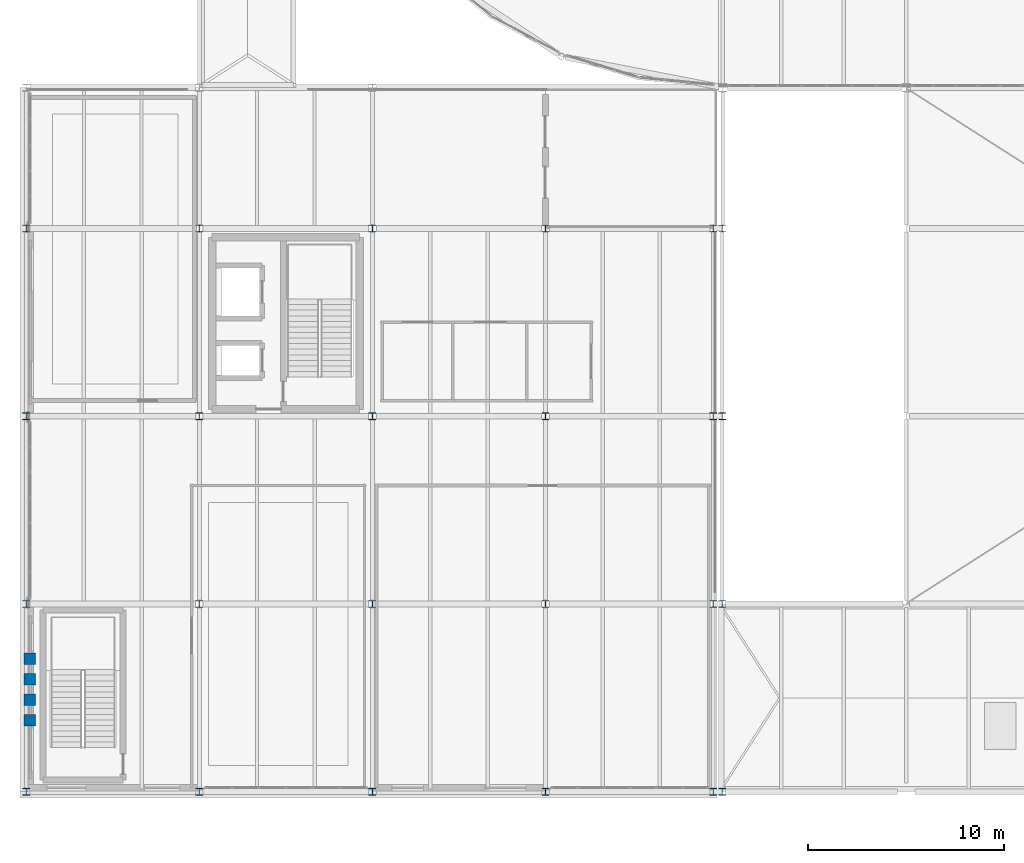
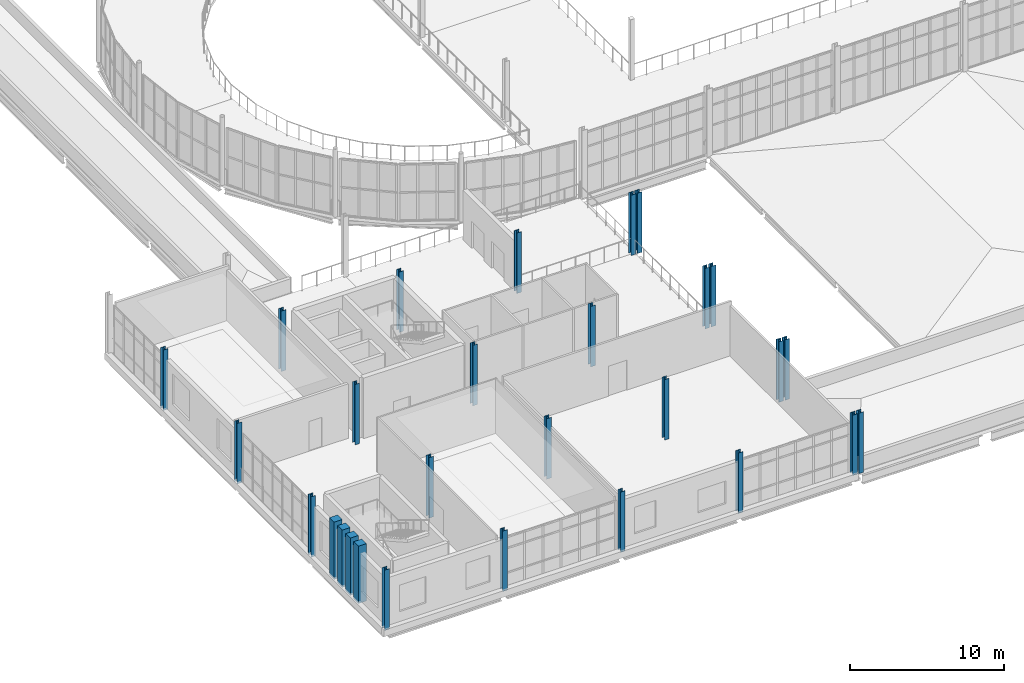
# One storey, part 1 of 112: 28 columns.
"""IFC4 building model written with IfcOpenShell, lengths in metres."""

from ifc_helpers import new_model, si_unit, direction, frame, origin, origin_2d, place, context, subcontext, project, spatial, rectangle, i_section, extrude, material, material_profile, profile_set, type_object, element, save


model = new_model("IFC4")

# Units and contexts
model_context = context("Model", 3, precision=1e-05, world=origin(), true_north=direction((0.0, 1.0)))
body_context = subcontext(model_context, "Body", "Model", "MODEL_VIEW")
ifc_project = project(units=[si_unit("LENGTHUNIT", "METRE"), si_unit("AREAUNIT", "SQUARE_METRE"), si_unit("VOLUMEUNIT", "CUBIC_METRE"), si_unit("PLANEANGLEUNIT", "RADIAN"), si_unit("MASSUNIT", "GRAM", prefix="KILO")], contexts=[model_context])

# Site, building, storey
site_placement = place(None, origin())
site = spatial("IfcSite", under=ifc_project, at=site_placement, CompositionType="ELEMENT")
building_placement = place(site_placement, origin())
building = spatial("IfcBuilding", under=site, at=building_placement, Name="Yeouljin Market Hall", CompositionType="ELEMENT")
storey_placement = place(building_placement, frame((0.0, 0.0, 6.0)))
storey = spatial("IfcBuildingStorey", under=building, at=storey_placement, Name="L01", CompositionType="ELEMENT", Elevation=6.0)

# Columns
ifc_material_1 = material(Name="Steel SM355", Category="steel")
ifc_material_profile_1 = material_profile(ifc_material_1, i_section(OverallWidth=0.35009765625, OverallDepth=0.35009765625, WebThickness=0.011962890625, FlangeThickness=0.01904296875, FilletRadius=0.02001953125, at=origin_2d()), Name="H-350x350x12x19")
ifc_profile_set_1 = profile_set([ifc_material_profile_1], Name="Steel SM355")
column_type_1 = type_object("IfcColumnType", Name="Col_H-350x350x12x19", PredefinedType="COLUMN", material=ifc_profile_set_1)
for number, where, z_axis, x_axis, name in (
    (1, (0.0, 0.0, 0.0), (0.0, 0.0, 1.0), (1.0, 0.0, 0.0), "Column G-00-00 (L01)"),
    (2, (0.0, 9.60009765625, 0.0), (0.0, 0.0, 1.0), (1.0, 0.0, 0.0), "Column G-00-01 (L01)"),
    (3, (0.0, 19.199951171875, 0.0), (0.0, 0.0, 1.0), (1.0, 0.0, 0.0), "Column G-00-02 (L01)"),
    (4, (0.0, 28.800048828125, 0.0), (0.0, 0.0, 1.0), (1.0, 0.0, 0.0), "Column G-00-03 (L01)"),
    (5, (8.85009765625, 0.0, 0.0), (0.0, 0.0, 1.0), (1.0, 0.0, 0.0), "Column G-01-00 (L01)"),
    (6, (8.85009765625, 9.60009765625, 0.0), (0.0, 0.0, 1.0), (1.0, 0.0, 0.0), "Column G-01-01 (L01)"),
    (7, (8.85009765625, 19.199951171875, 0.0), (0.0, 0.0, 1.0), (1.0, 0.0, 0.0), "Column G-01-02 (L01)"),
    (8, (8.85009765625, 28.800048828125, 0.0), (0.0, 0.0, 1.0), (1.0, 0.0, 0.0), "Column G-01-03 (L01)"),
    (9, (17.699951171875, 0.0, 0.0), (0.0, 0.0, 1.0), (1.0, 0.0, 0.0), "Column G-02-00 (L01)"),
    (10, (17.699951171875, 9.60009765625, 0.0), (0.0, 0.0, 1.0), (1.0, 0.0, 0.0), "Column G-02-01 (L01)"),
    (11, (17.699951171875, 19.199951171875, 0.0), (0.0, 0.0, 1.0), (1.0, 0.0, 0.0), "Column G-02-02 (L01)"),
    (12, (17.699951171875, 28.800048828125, 0.0), (0.0, 0.0, 1.0), (1.0, 0.0, 0.0), "Column G-02-03 (L01)"),
    (13, (26.550048828125, 0.0, 0.0), (0.0, 0.0, 1.0), (1.0, 0.0, 0.0), "Column G-03-00 (L01)"),
    (14, (26.550048828125, 9.60009765625, 0.0), (0.0, 0.0, 1.0), (1.0, 0.0, 0.0), "Column G-03-01 (L01)"),
    (15, (26.550048828125, 19.199951171875, 0.0), (0.0, 0.0, 1.0), (1.0, 0.0, 0.0), "Column G-03-02 (L01)"),
    (16, (26.550048828125, 28.800048828125, 0.0), (0.0, 0.0, 1.0), (1.0, 0.0, 0.0), "Column G-03-03 (L01)"),
    (17, (35.1298828125, 0.0, 0.0), (0.0, 0.0, 1.0), (1.0, 0.0, 0.0), "Column G-04-00 (L01)"),
    (18, (35.1298828125, 9.60009765625, 0.0), (0.0, 0.0, 1.0), (1.0, 0.0, 0.0), "Column G-04-01 (L01)"),
    (19, (35.1298828125, 19.199951171875, 0.0), (0.0, 0.0, 1.0), (1.0, 0.0, 0.0), "Column G-04-02 (L01)"),
    (20, (35.1298828125, 28.800048828125, 0.0), (0.0, 0.0, 1.0), (1.0, 0.0, 0.0), "Column G-04-03 (L01)"),
    (21, (35.590087890625, 0.0, 0.0), (0.0, 0.0, 1.0), (1.0, 0.0, 0.0), "Column G-05-00 (L01)"),
    (22, (35.590087890625, 9.60009765625, 0.0), (0.0, 0.0, 1.0), (1.0, 0.0, 0.0), "Column G-05-01 (L01)"),
    (23, (35.590087890625, 19.199951171875, 0.0), (0.0, 0.0, 1.0), (1.0, 0.0, 0.0), "Column G-05-02 (L01)"),
    (24, (35.590087890625, 28.800048828125, 0.0), (0.0, 0.0, 1.0), (1.0, 0.0, 0.0), "Column G-05-03 (L01)"),
):
    element("IfcColumn", number, at=place(storey_placement, frame(where, z_axis=z_axis, x_axis=x_axis)), inside=storey, type_object=column_type_1, Name=name, PredefinedType="COLUMN", context=body_context, shape_type="SweptSolid", body=[
        extrude(i_section(OverallWidth=0.35009765625, OverallDepth=0.35009765625, WebThickness=0.011962890625, FlangeThickness=0.01904296875, FilletRadius=0.02001953125, at=origin_2d()), origin(), (0.0, 0.0, 1.0), 4.800048828125),
    ])
ifc_material_2 = material(Name="Clinker Brick Masonry F2-S2", Category="masonry")
ifc_material_profile_2 = material_profile(ifc_material_2, rectangle(XDim=0.60009765625, YDim=0.60009765625, at=origin_2d()), Name="PIL-600x600")
ifc_profile_set_2 = profile_set([ifc_material_profile_2], Name="Clinker Brick Masonry F2-S2")
column_type_2 = type_object("IfcColumnType", Name="Pilaster_Brick_600x600", PredefinedType="PILASTER", material=ifc_profile_set_2)
for number, where, z_axis, x_axis, name in (
    (25, (0.179931640625, 3.64990234375, 0.0), (0.0, 0.0, 1.0), (1.0, 0.0, 0.0), "Clinker brick pilaster 01"),
    (26, (0.179931640625, 4.699951171875, 0.0), (0.0, 0.0, 1.0), (1.0, 0.0, 0.0), "Clinker brick pilaster 02"),
    (27, (0.179931640625, 5.75, 0.0), (0.0, 0.0, 1.0), (1.0, 0.0, 0.0), "Clinker brick pilaster 03"),
    (28, (0.179931640625, 6.800048828125, 0.0), (0.0, 0.0, 1.0), (1.0, 0.0, 0.0), "Clinker brick pilaster 04"),
):
    element("IfcColumn", number, at=place(storey_placement, frame(where, z_axis=z_axis, x_axis=x_axis)), inside=storey, type_object=column_type_2, Name=name, PredefinedType="PILASTER", context=body_context, shape_type="SweptSolid", body=[
        extrude(rectangle(XDim=0.60009765625, YDim=0.60009765625, at=origin_2d()), origin(), (0.0, 0.0, 1.0), 4.550048828125),
    ])

save(model, "model.ifc")
